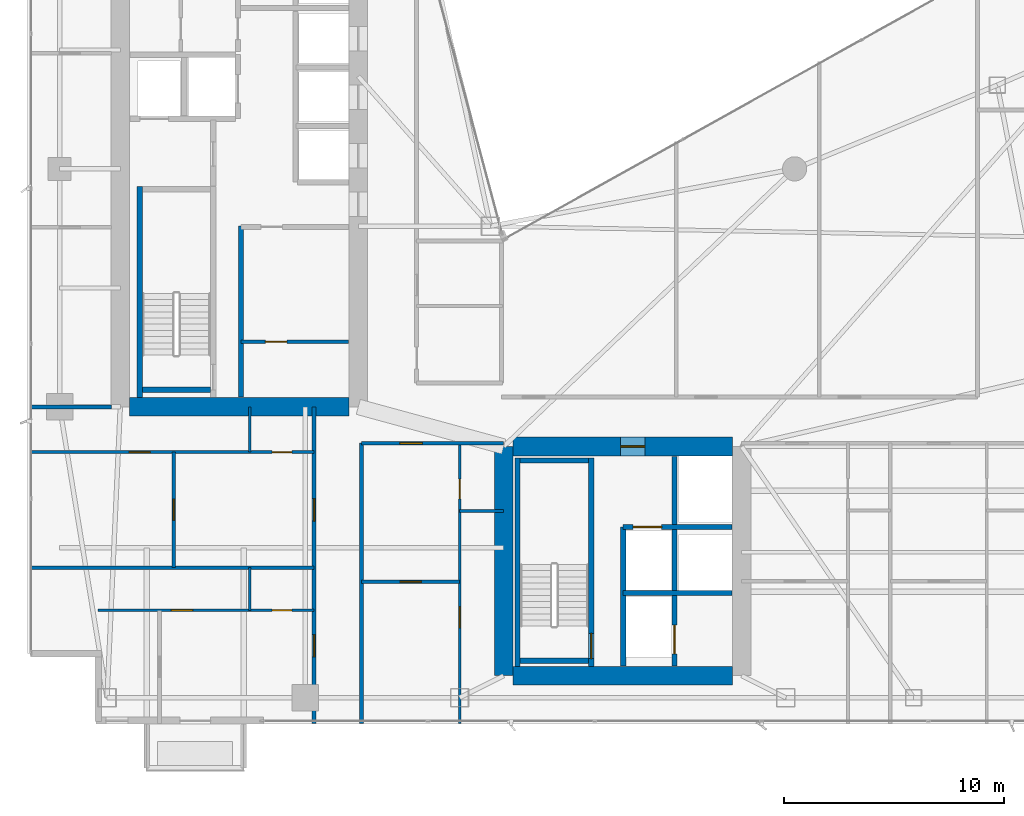
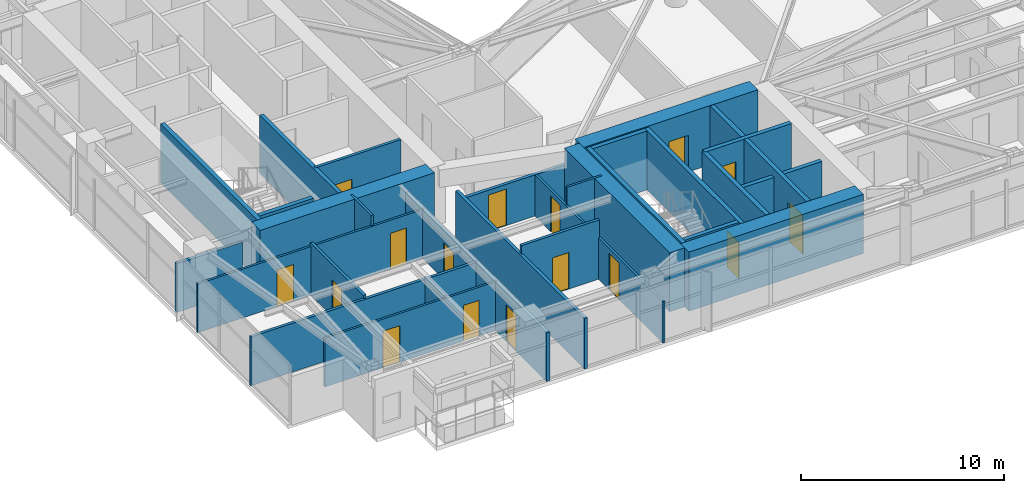
# One storey, part 22 of 29: 29 walls, 16 doors, 16 openings.
"""IFC4 building model written with IfcOpenShell, lengths in metres."""

from ifc_helpers import new_model, si_unit, direction, frame, frame_2d, origin, place, context, subcontext, project, spatial, rectangle, extrude, material, layer, layer_set, type_object, element, fill, save


model = new_model("IFC4")

# Units and contexts
model_context = context("Model", 3, precision=1e-05, world=origin(), true_north=direction((0.0, 1.0)))
body_context = subcontext(model_context, "Body", "Model", "MODEL_VIEW")
ifc_project = project(units=[si_unit("LENGTHUNIT", "METRE"), si_unit("AREAUNIT", "SQUARE_METRE"), si_unit("VOLUMEUNIT", "CUBIC_METRE"), si_unit("PLANEANGLEUNIT", "RADIAN"), si_unit("MASSUNIT", "GRAM", prefix="KILO")], contexts=[model_context])

# Site, building, storey
site_placement = place(None, origin())
site = spatial("IfcSite", under=ifc_project, at=site_placement, CompositionType="ELEMENT")
building_placement = place(site_placement, origin())
building = spatial("IfcBuilding", under=site, at=building_placement, Name="Calvorn Quay Hotel", CompositionType="ELEMENT")
storey_placement = place(building_placement, frame((0.0, 0.0, 163.699951171875)))
storey = spatial("IfcBuildingStorey", under=building, at=storey_placement, Name="L40", CompositionType="ELEMENT", Elevation=163.699951171875)

# Walls
ifc_material_1 = material(Name="Concrete C50", Category="concrete")
ifc_layer_1 = layer(ifc_material_1, 0.85009765625)
ifc_layer_set_1 = layer_set([ifc_layer_1], Name="WL-CORE-850")
wall_type_1 = type_object("IfcWallType", Name="WL-CORE-850", PredefinedType="SHEAR", material=ifc_layer_set_1)
wall_1_placement = place(storey_placement, frame((4.625, 16.800048828125, 0.0), z_axis=(0.0, 0.0, 1.0), x_axis=(1.0, 0.0, 0.0)))
element("IfcWall", 1, at=wall_1_placement, inside=storey, type_object=wall_type_1, Name="West Core Shear Wall S (L40)", PredefinedType="SHEAR", context=body_context, shape_type="SweptSolid", body=[
    extrude(rectangle(XDim=9.949951171875, YDim=0.85009765625, at=frame_2d((4.97509765625, 0.0))), origin(), (0.0, 0.0, 1.0), 3.56005859375),
])
wall_2_placement = place(storey_placement, frame((21.60009765625, 4.60009765625, 0.0), z_axis=(0.0, 0.0, 1.0), x_axis=(0.0, 1.0, 0.0)))
element("IfcWall", 2, at=wall_2_placement, inside=storey, type_object=wall_type_1, Name="East Core Shear Wall W (L40)", PredefinedType="SHEAR", context=body_context, shape_type="SweptSolid", body=[
    extrude(rectangle(XDim=10.39990234375, YDim=0.85009765625, at=frame_2d((5.199951171875, 0.0))), origin(), (0.0, 0.0, 1.0), 3.56005859375),
])

# Wall, opening, door
wall_3_placement = place(storey_placement, frame((22.02490234375, 15.0, 0.0), z_axis=(0.0, 0.0, 1.0), x_axis=(1.0, 0.0, 0.0)))
wall_3 = element("IfcWall", 3, at=wall_3_placement, inside=storey, type_object=wall_type_1, Name="East Core Shear Wall N (L40)", PredefinedType="SHEAR", context=body_context, shape_type="SweptSolid", body=[
    extrude(rectangle(XDim=9.9501953125, YDim=0.85009765625, at=frame_2d((4.97509765625, 0.0))), origin(), (0.0, 0.0, 1.0), 3.56005859375),
])
opening_1_placement = place(wall_3_placement, frame((4.8798828125, 0.0, 0.0)))
opening_1 = element("IfcOpeningElement", 4, at=opening_1_placement, cuts=wall_3, Name="Opening D-L40-FLE", PredefinedType="OPENING", context=body_context, shape_type="SweptSolid", body=[
    extrude(rectangle(XDim=1.10009765625, YDim=2.199951171875, at=frame_2d((0.550048828125, 1.10009765625))), frame((0.0, 0.43505859375, 0.0), z_axis=(0.0, -1.0, 0.0), x_axis=(1.0, 0.0, 0.0)), (0.0, 0.0, 1.0), 0.8701171875),
])
ifc_material_2 = material(Name="Smoke-Sealed Steel Class A Fire Door", Category="steel")
door_type_1 = type_object("IfcDoorType", Name="DR-FFLOBBY-1100", OperationType="NOTDEFINED", PredefinedType="DOOR", material=ifc_material_2)
door_1_placement = place(opening_1_placement, origin())
door_1 = element("IfcDoor", 5, at=door_1_placement, inside=storey, type_object=door_type_1, Name="East Firefighting Lobby Fire Door (L40)", OperationType="SINGLE_SWING_RIGHT", OverallHeight=2.199951171875, OverallWidth=1.10009765625, PredefinedType="DOOR", context=body_context, shape_type="SweptSolid", body=[
    extrude(rectangle(XDim=1.10009765625, YDim=2.199951171875, at=frame_2d((0.550048828125, 1.10009765625))), frame((0.0, 0.02490234375, 0.0), z_axis=(0.0, -1.0, 0.0), x_axis=(1.0, 0.0, 0.0)), (0.0, 0.0, 1.0), 0.050048828125),
])
fill(opening_1, door_1)

# Walls
wall_4_placement = place(storey_placement, frame((22.02490234375, 4.60009765625, 0.0), z_axis=(0.0, 0.0, 1.0), x_axis=(1.0, 0.0, 0.0)))
element("IfcWall", 6, at=wall_4_placement, inside=storey, type_object=wall_type_1, Name="East Core Shear Wall S (L40)", PredefinedType="SHEAR", context=body_context, shape_type="SweptSolid", body=[
    extrude(rectangle(XDim=9.9501953125, YDim=0.85009765625, at=frame_2d((4.97509765625, 0.0))), origin(), (0.0, 0.0, 1.0), 3.56005859375),
])
ifc_material_3 = material(Name="Acoustic Fireboard Steel-Stud Partition", Category="steel")
ifc_layer_2 = layer(ifc_material_3, 0.179931640625)
ifc_layer_set_2 = layer_set([ifc_layer_2], Name="WL-CORR-FIRE-180")
wall_type_2 = type_object("IfcWallType", Name="WL-CORR-FIRE-180", PredefinedType="PARTITIONING", material=ifc_layer_set_2)
wall_5_placement = place(storey_placement, frame((0.080078125, 16.800048828125, 0.0), z_axis=(0.0, 0.0, 1.0), x_axis=(1.0, 0.0, 0.0)))
element("IfcWall", 7, at=wall_5_placement, inside=storey, type_object=wall_type_2, Name="Partition Wall L40-WL-WBAY-S-WALL", PredefinedType="PARTITIONING", context=body_context, shape_type="SweptSolid", body=[
    extrude(rectangle(XDim=3.724853515625, YDim=0.179931640625, at=frame_2d((1.8623046875, 0.0))), origin(), (0.0, 0.0, 1.0), 2.93994140625),
])

# Wall, openings, doors
wall_6_placement = place(storey_placement, frame((13.0, 2.43994140625, 0.0), z_axis=(0.0, 0.0, 1.0), x_axis=(0.0, 1.0, 0.0)))
wall_6 = element("IfcWall", 8, at=wall_6_placement, inside=storey, type_object=wall_type_2, Name="Partition Wall L40-WL-CORR-SW-LEG-W", PredefinedType="PARTITIONING", context=body_context, shape_type="SweptSolid", body=[
    extrude(rectangle(XDim=14.360107421875, YDim=0.179931640625, at=frame_2d((7.18017578125, 0.0))), origin(), (0.0, 0.0, 1.0), 2.93994140625),
])
opening_2_placement = place(wall_6_placement, frame((3.010009765625, 0.0, 0.0)))
opening_2 = element("IfcOpeningElement", 9, at=opening_2_placement, cuts=wall_6, Name="Opening D-L40-U01", PredefinedType="OPENING", context=body_context, shape_type="SweptSolid", body=[
    extrude(rectangle(XDim=1.02001953125, YDim=2.199951171875, at=frame_2d((0.510009765625, 1.10009765625))), frame((0.0, 0.099853515625, 0.0), z_axis=(0.0, -1.0, 0.0), x_axis=(1.0, 0.0, 0.0)), (0.0, 0.0, 1.0), 0.199951171875),
])
opening_3_placement = place(wall_6_placement, frame((9.179931640625, 0.0, 0.0)))
opening_3 = element("IfcOpeningElement", 10, at=opening_3_placement, cuts=wall_6, Name="Opening D-L40-U02", PredefinedType="OPENING", context=body_context, shape_type="SweptSolid", body=[
    extrude(rectangle(XDim=1.02001953125, YDim=2.199951171875, at=frame_2d((0.510009765625, 1.10009765625))), frame((0.0, 0.099853515625, 0.0), z_axis=(0.0, -1.0, 0.0), x_axis=(1.0, 0.0, 0.0)), (0.0, 0.0, 1.0), 0.199951171875),
])
ifc_material_4 = material(Name="Solid-Core Walnut Veneer Hotel Fire Door")
door_type_2 = type_object("IfcDoorType", Name="DR-GUEST-ENTRY-1020", OperationType="NOTDEFINED", PredefinedType="DOOR", material=ifc_material_4)
door_2_placement = place(opening_2_placement, origin())
door_2 = element("IfcDoor", 11, at=door_2_placement, inside=storey, type_object=door_type_2, Name="South-West Unit Door U01 (L40)", OperationType="SINGLE_SWING_LEFT", OverallHeight=2.199951171875, OverallWidth=1.02001953125, PredefinedType="DOOR", context=body_context, shape_type="SweptSolid", body=[
    extrude(rectangle(XDim=1.02001953125, YDim=2.199951171875, at=frame_2d((0.510009765625, 1.10009765625))), frame((0.0, 0.02490234375, 0.0), z_axis=(0.0, -1.0, 0.0), x_axis=(1.0, 0.0, 0.0)), (0.0, 0.0, 1.0), 0.050048828125),
])
fill(opening_2, door_2)
door_3_placement = place(opening_3_placement, origin())
door_3 = element("IfcDoor", 12, at=door_3_placement, inside=storey, type_object=door_type_2, Name="South-West Unit Door U02 (L40)", OperationType="SINGLE_SWING_RIGHT", OverallHeight=2.199951171875, OverallWidth=1.02001953125, PredefinedType="DOOR", context=body_context, shape_type="SweptSolid", body=[
    extrude(rectangle(XDim=1.02001953125, YDim=2.199951171875, at=frame_2d((0.510009765625, 1.10009765625))), frame((0.0, 0.02490234375, 0.0), z_axis=(0.0, -1.0, 0.0), x_axis=(1.0, 0.0, 0.0)), (0.0, 0.0, 1.0), 0.050048828125),
])
fill(opening_3, door_3)

# Wall
wall_7_placement = place(storey_placement, frame((15.14990234375, 2.43994140625, 0.0), z_axis=(0.0, 0.0, 1.0), x_axis=(0.0, 1.0, 0.0)))
element("IfcWall", 13, at=wall_7_placement, inside=storey, type_object=wall_type_2, Name="Partition Wall L40-WL-CORR-SW-W", PredefinedType="PARTITIONING", context=body_context, shape_type="SweptSolid", body=[
    extrude(rectangle(XDim=12.7099609375, YDim=0.179931640625, at=frame_2d((6.35498046875, 0.0))), origin(), (0.0, 0.0, 1.0), 3.0400390625),
])

# Wall, opening, door
wall_8_placement = place(storey_placement, frame((15.14990234375, 15.14990234375, 0.0), z_axis=(0.0, 0.0, 1.0), x_axis=(1.0, 0.0, 0.0)))
wall_8 = element("IfcWall", 14, at=wall_8_placement, inside=storey, type_object=wall_type_2, Name="Partition Wall L40-WL-SC-CORR-S", PredefinedType="PARTITIONING", context=body_context, shape_type="SweptSolid", body=[
    extrude(rectangle(XDim=6.4501953125, YDim=0.179931640625, at=frame_2d((3.22509765625, 0.0))), origin(), (0.0, 0.0, 1.0), 2.489990234375),
])
opening_4_placement = place(wall_8_placement, frame((1.739990234375, 0.0, 0.0)))
opening_4 = element("IfcOpeningElement", 15, at=opening_4_placement, cuts=wall_8, Name="Opening D-L40-U03", PredefinedType="OPENING", context=body_context, shape_type="SweptSolid", body=[
    extrude(rectangle(XDim=1.02001953125, YDim=2.199951171875, at=frame_2d((0.510009765625, 1.10009765625))), frame((0.0, 0.099853515625, 0.0), z_axis=(0.0, -1.0, 0.0), x_axis=(1.0, 0.0, 0.0)), (0.0, 0.0, 1.0), 0.199951171875),
])
door_4_placement = place(opening_4_placement, origin())
door_4 = element("IfcDoor", 16, at=door_4_placement, inside=storey, type_object=door_type_2, Name="Harbour Central Unit Door (L40)", OperationType="SINGLE_SWING_LEFT", OverallHeight=2.199951171875, OverallWidth=1.02001953125, PredefinedType="DOOR", context=body_context, shape_type="SweptSolid", body=[
    extrude(rectangle(XDim=1.02001953125, YDim=2.199951171875, at=frame_2d((0.510009765625, 1.10009765625))), frame((0.0, 0.02490234375, 0.0), z_axis=(0.0, -1.0, 0.0), x_axis=(1.0, 0.0, 0.0)), (0.0, 0.0, 1.0), 0.050048828125),
])
fill(opening_4, door_4)

# Wall
ifc_material_5 = material(Name="Moisture-Resistant Tile-Backed Partition")
ifc_layer_3 = layer(ifc_material_5, 0.125)
ifc_layer_set_3 = layer_set([ifc_layer_3], Name="WL-ENSUITE-125")
wall_type_3 = type_object("IfcWallType", Name="WL-ENSUITE-125", PredefinedType="PARTITIONING", material=ifc_layer_set_3)
wall_9_placement = place(storey_placement, frame((10.080078125, 7.570068359375, 0.0), z_axis=(0.0, 0.0, 1.0), x_axis=(0.0, 1.0, 0.0)))
element("IfcWall", 17, at=wall_9_placement, inside=storey, type_object=wall_type_3, Name="Partition Wall L40-WL-U01-BDV", PredefinedType="PARTITIONING", context=body_context, shape_type="SweptSolid", body=[
    extrude(rectangle(XDim=1.929931640625, YDim=0.125, at=frame_2d((0.96484375, 0.0))), origin(), (0.0, 0.0, 1.0), 3.090087890625),
])

# Wall, openings, doors
wall_10_placement = place(storey_placement, frame((3.199951171875, 7.570068359375, 0.0), z_axis=(0.0, 0.0, 1.0), x_axis=(1.0, 0.0, 0.0)))
wall_10 = element("IfcWall", 18, at=wall_10_placement, inside=storey, type_object=wall_type_3, Name="Partition Wall L40-WL-U01-BH", PredefinedType="PARTITIONING", context=body_context, shape_type="SweptSolid", body=[
    extrude(rectangle(XDim=9.800048828125, YDim=0.125, at=frame_2d((4.89990234375, 0.0))), origin(), (0.0, 0.0, 1.0), 2.93994140625),
])
opening_5_placement = place(wall_10_placement, frame((3.320068359375, 0.0, 0.0)))
opening_5 = element("IfcOpeningElement", 19, at=opening_5_placement, cuts=wall_10, Name="Opening D-L40-S01", PredefinedType="OPENING", context=body_context, shape_type="SweptSolid", body=[
    extrude(rectangle(XDim=0.9599609375, YDim=2.199951171875, at=frame_2d((0.47998046875, 1.10009765625))), frame((0.0, 0.072509765625, 0.0), z_axis=(0.0, -1.0, 0.0), x_axis=(1.0, 0.0, 0.0)), (0.0, 0.0, 1.0), 0.14501953125),
])
opening_6_placement = place(wall_10_placement, frame((7.889892578125, 0.0, 0.0)))
opening_6 = element("IfcOpeningElement", 20, at=opening_6_placement, cuts=wall_10, Name="Opening D-L40-E01", PredefinedType="OPENING", context=body_context, shape_type="SweptSolid", body=[
    extrude(rectangle(XDim=0.89990234375, YDim=2.14990234375, at=frame_2d((0.449951171875, 1.074951171875))), frame((0.0, 0.072509765625, 0.0), z_axis=(0.0, -1.0, 0.0), x_axis=(1.0, 0.0, 0.0)), (0.0, 0.0, 1.0), 0.14501953125),
])
ifc_material_6 = material(Name="Moisture-Sealed Timber En-Suite Door", Category="wood")
door_type_3 = type_object("IfcDoorType", Name="DR-ENSUITE-900", OperationType="NOTDEFINED", PredefinedType="DOOR", material=ifc_material_6)
door_5_placement = place(opening_6_placement, origin())
door_5 = element("IfcDoor", 21, at=door_5_placement, inside=storey, type_object=door_type_3, Name="En-Suite Door 01", OperationType="SINGLE_SWING_RIGHT", OverallHeight=2.14990234375, OverallWidth=0.89990234375, PredefinedType="DOOR", context=body_context, shape_type="SweptSolid", body=[
    extrude(rectangle(XDim=0.89990234375, YDim=2.14990234375, at=frame_2d((0.449951171875, 1.074951171875))), frame((0.0, 0.02490234375, 0.0), z_axis=(0.0, -1.0, 0.0), x_axis=(1.0, 0.0, 0.0)), (0.0, 0.0, 1.0), 0.050048828125),
])
fill(opening_6, door_5)
ifc_material_7 = material(Name="Solid Timber Internal Suite Door", Category="wood")
door_type_4 = type_object("IfcDoorType", Name="DR-SUITE-INT-960", OperationType="NOTDEFINED", PredefinedType="DOOR", material=ifc_material_7)
door_6_placement = place(opening_5_placement, origin())
door_6 = element("IfcDoor", 22, at=door_6_placement, inside=storey, type_object=door_type_4, Name="Botanical Winter Garden Door 01", OperationType="SINGLE_SWING_LEFT", OverallHeight=2.199951171875, OverallWidth=0.9599609375, PredefinedType="DOOR", context=body_context, shape_type="SweptSolid", body=[
    extrude(rectangle(XDim=0.9599609375, YDim=2.199951171875, at=frame_2d((0.47998046875, 1.10009765625))), frame((0.0, 0.02490234375, 0.0), z_axis=(0.0, -1.0, 0.0), x_axis=(1.0, 0.0, 0.0)), (0.0, 0.0, 1.0), 0.050048828125),
])
fill(opening_5, door_6)

# Wall
wall_11_placement = place(storey_placement, frame((10.080078125, 14.75, 0.0), z_axis=(0.0, 0.0, 1.0), x_axis=(0.0, 1.0, 0.0)))
element("IfcWall", 23, at=wall_11_placement, inside=storey, type_object=wall_type_3, Name="Partition Wall L40-WL-U02-BDV", PredefinedType="PARTITIONING", context=body_context, shape_type="SweptSolid", body=[
    extrude(rectangle(XDim=2.050048828125, YDim=0.125, at=frame_2d((1.02490234375, 0.0))), origin(), (0.0, 0.0, 1.0), 3.56005859375),
])

# Wall, openings, doors
wall_12_placement = place(storey_placement, frame((0.080078125, 14.75, 0.0), z_axis=(0.0, 0.0, 1.0), x_axis=(1.0, 0.0, 0.0)))
wall_12 = element("IfcWall", 24, at=wall_12_placement, inside=storey, type_object=wall_type_3, Name="Partition Wall L40-WL-U02-BH", PredefinedType="PARTITIONING", context=body_context, shape_type="SweptSolid", body=[
    extrude(rectangle(XDim=12.919921875, YDim=0.125, at=frame_2d((6.4599609375, 0.0))), origin(), (0.0, 0.0, 1.0), 2.93994140625),
])
opening_7_placement = place(wall_12_placement, frame((4.52001953125, 0.0, 0.0)))
opening_7 = element("IfcOpeningElement", 25, at=opening_7_placement, cuts=wall_12, Name="Opening D-L40-S02", PredefinedType="OPENING", context=body_context, shape_type="SweptSolid", body=[
    extrude(rectangle(XDim=0.9599609375, YDim=2.199951171875, at=frame_2d((0.47998046875, 1.10009765625))), frame((0.0, 0.072509765625, 0.0), z_axis=(0.0, -1.0, 0.0), x_axis=(1.0, 0.0, 0.0)), (0.0, 0.0, 1.0), 0.14501953125),
])
opening_8_placement = place(wall_12_placement, frame((11.010009765625, 0.0, 0.0)))
opening_8 = element("IfcOpeningElement", 26, at=opening_8_placement, cuts=wall_12, Name="Opening D-L40-E02", PredefinedType="OPENING", context=body_context, shape_type="SweptSolid", body=[
    extrude(rectangle(XDim=0.89990234375, YDim=2.14990234375, at=frame_2d((0.449951171875, 1.074951171875))), frame((0.0, 0.072509765625, 0.0), z_axis=(0.0, -1.0, 0.0), x_axis=(1.0, 0.0, 0.0)), (0.0, 0.0, 1.0), 0.14501953125),
])
door_7_placement = place(opening_8_placement, origin())
door_7 = element("IfcDoor", 27, at=door_7_placement, inside=storey, type_object=door_type_3, Name="En-Suite Door 02", OperationType="SINGLE_SWING_RIGHT", OverallHeight=2.14990234375, OverallWidth=0.89990234375, PredefinedType="DOOR", context=body_context, shape_type="SweptSolid", body=[
    extrude(rectangle(XDim=0.89990234375, YDim=2.14990234375, at=frame_2d((0.449951171875, 1.074951171875))), frame((0.0, 0.02490234375, 0.0), z_axis=(0.0, -1.0, 0.0), x_axis=(1.0, 0.0, 0.0)), (0.0, 0.0, 1.0), 0.050048828125),
])
fill(opening_8, door_7)
door_8_placement = place(opening_7_placement, origin())
door_8 = element("IfcDoor", 28, at=door_8_placement, inside=storey, type_object=door_type_4, Name="Botanical Winter Garden Door 02", OperationType="SINGLE_SWING_LEFT", OverallHeight=2.199951171875, OverallWidth=0.9599609375, PredefinedType="DOOR", context=body_context, shape_type="SweptSolid", body=[
    extrude(rectangle(XDim=0.9599609375, YDim=2.199951171875, at=frame_2d((0.47998046875, 1.10009765625))), frame((0.0, 0.02490234375, 0.0), z_axis=(0.0, -1.0, 0.0), x_axis=(1.0, 0.0, 0.0)), (0.0, 0.0, 1.0), 0.050048828125),
])
fill(opening_7, door_8)

# Wall
wall_13_placement = place(storey_placement, frame((19.60009765625, 12.070068359375, 0.0), z_axis=(0.0, 0.0, 1.0), x_axis=(1.0, 0.0, 0.0)))
element("IfcWall", 29, at=wall_13_placement, inside=storey, type_object=wall_type_3, Name="Partition Wall L40-WL-U03-BDV", PredefinedType="PARTITIONING", context=body_context, shape_type="SweptSolid", body=[
    extrude(rectangle(XDim=2.0, YDim=0.125, at=frame_2d((1.0, 0.0))), origin(), (0.0, 0.0, 1.0), 3.56005859375),
])

# Wall, openings, doors
wall_14_placement = place(storey_placement, frame((19.60009765625, 2.43994140625, 0.0), z_axis=(0.0, 0.0, 1.0), x_axis=(0.0, 1.0, 0.0)))
wall_14 = element("IfcWall", 30, at=wall_14_placement, inside=storey, type_object=wall_type_3, Name="Partition Wall L40-WL-U03-BV", PredefinedType="PARTITIONING", context=body_context, shape_type="SweptSolid", body=[
    extrude(rectangle(XDim=12.7099609375, YDim=0.125, at=frame_2d((6.35498046875, 0.0))), origin(), (0.0, 0.0, 1.0), 2.489990234375),
])
opening_9_placement = place(wall_14_placement, frame((4.340087890625, 0.0, 0.0)))
opening_9 = element("IfcOpeningElement", 31, at=opening_9_placement, cuts=wall_14, Name="Opening D-L40-S03", PredefinedType="OPENING", context=body_context, shape_type="SweptSolid", body=[
    extrude(rectangle(XDim=0.9599609375, YDim=2.199951171875, at=frame_2d((0.47998046875, 1.10009765625))), frame((0.0, 0.072509765625, 0.0), z_axis=(0.0, -1.0, 0.0), x_axis=(1.0, 0.0, 0.0)), (0.0, 0.0, 1.0), 0.14501953125),
])
opening_10_placement = place(wall_14_placement, frame((10.179931640625, 0.0, 0.0)))
opening_10 = element("IfcOpeningElement", 32, at=opening_10_placement, cuts=wall_14, Name="Opening D-L40-E03", PredefinedType="OPENING", context=body_context, shape_type="SweptSolid", body=[
    extrude(rectangle(XDim=0.89990234375, YDim=2.14990234375, at=frame_2d((0.449951171875, 1.074951171875))), frame((0.0, 0.072509765625, 0.0), z_axis=(0.0, -1.0, 0.0), x_axis=(1.0, 0.0, 0.0)), (0.0, 0.0, 1.0), 0.14501953125),
])
door_9_placement = place(opening_10_placement, origin())
door_9 = element("IfcDoor", 33, at=door_9_placement, inside=storey, type_object=door_type_3, Name="En-Suite Door 03", OperationType="SINGLE_SWING_RIGHT", OverallHeight=2.14990234375, OverallWidth=0.89990234375, PredefinedType="DOOR", context=body_context, shape_type="SweptSolid", body=[
    extrude(rectangle(XDim=0.89990234375, YDim=2.14990234375, at=frame_2d((0.449951171875, 1.074951171875))), frame((0.0, 0.02490234375, 0.0), z_axis=(0.0, -1.0, 0.0), x_axis=(1.0, 0.0, 0.0)), (0.0, 0.0, 1.0), 0.050048828125),
])
fill(opening_10, door_9)
door_10_placement = place(opening_9_placement, origin())
door_10 = element("IfcDoor", 34, at=door_10_placement, inside=storey, type_object=door_type_4, Name="Botanical Winter Garden Door 03", OperationType="SINGLE_SWING_LEFT", OverallHeight=2.199951171875, OverallWidth=0.9599609375, PredefinedType="DOOR", context=body_context, shape_type="SweptSolid", body=[
    extrude(rectangle(XDim=0.9599609375, YDim=2.199951171875, at=frame_2d((0.47998046875, 1.10009765625))), frame((0.0, 0.02490234375, 0.0), z_axis=(0.0, -1.0, 0.0), x_axis=(1.0, 0.0, 0.0)), (0.0, 0.0, 1.0), 0.050048828125),
])
fill(opening_9, door_10)

# Wall, opening, door
ifc_material_8 = material(Name="Double-Stud Acoustic Gypsum Partition")
ifc_layer_4 = layer(ifc_material_8, 0.159912109375)
ifc_layer_set_4 = layer_set([ifc_layer_4], Name="WL-INTERSUITE-160")
wall_type_4 = type_object("IfcWallType", Name="WL-INTERSUITE-160", PredefinedType="PARTITIONING", material=ifc_layer_set_4)
wall_15_placement = place(storey_placement, frame((9.679931640625, 19.75, 0.0), z_axis=(0.0, 0.0, 1.0), x_axis=(1.0, 0.0, 0.0)))
wall_15 = element("IfcWall", 35, at=wall_15_placement, inside=storey, type_object=wall_type_4, Name="Partition Wall L40-WL-CWW-FR-SPLIT", PredefinedType="PARTITIONING", context=body_context, shape_type="SweptSolid", body=[
    extrude(rectangle(XDim=4.875, YDim=0.159912109375, at=frame_2d((2.4375, 0.0))), origin(), (0.0, 0.0, 1.0), 3.56005859375),
])
opening_11_placement = place(wall_15_placement, frame((1.10009765625, 0.0, 0.0)))
opening_11 = element("IfcOpeningElement", 36, at=opening_11_placement, cuts=wall_15, Name="Opening D-L40-FRL1", PredefinedType="OPENING", context=body_context, shape_type="SweptSolid", body=[
    extrude(rectangle(XDim=0.97998046875, YDim=2.14990234375, at=frame_2d((0.489990234375, 1.074951171875))), frame((0.0, 0.08984375, 0.0), z_axis=(0.0, -1.0, 0.0), x_axis=(1.0, 0.0, 0.0)), (0.0, 0.0, 1.0), 0.179931640625),
])
ifc_material_9 = material(Name="Painted Steel Housekeeping/Riser Fire Door", Category="steel")
door_type_5 = type_object("IfcDoorType", Name="DR-SERVICE-980", OperationType="NOTDEFINED", PredefinedType="DOOR", material=ifc_material_9)
door_11_placement = place(opening_11_placement, origin())
door_11 = element("IfcDoor", 37, at=door_11_placement, inside=storey, type_object=door_type_5, Name="Linen Store Room Door (L40)", OperationType="SINGLE_SWING_LEFT", OverallHeight=2.14990234375, OverallWidth=0.97998046875, PredefinedType="DOOR", context=body_context, shape_type="SweptSolid", body=[
    extrude(rectangle(XDim=0.97998046875, YDim=2.14990234375, at=frame_2d((0.489990234375, 1.074951171875))), frame((0.0, 0.02490234375, 0.0), z_axis=(0.0, -1.0, 0.0), x_axis=(1.0, 0.0, 0.0)), (0.0, 0.0, 1.0), 0.050048828125),
])
fill(opening_11, door_11)

wall_16_placement = place(storey_placement, frame((6.6201171875, 9.5, 0.0), z_axis=(0.0, 0.0, 1.0), x_axis=(0.0, 1.0, 0.0)))
wall_16 = element("IfcWall", 38, at=wall_16_placement, inside=storey, type_object=wall_type_4, Name="Partition Wall L40-WL-U02-MSP", PredefinedType="PARTITIONING", context=body_context, shape_type="SweptSolid", body=[
    extrude(rectangle(XDim=5.25, YDim=0.159912109375, at=frame_2d((2.625, 0.0))), origin(), (0.0, 0.0, 1.0), 3.14013671875),
])
opening_12_placement = place(wall_16_placement, frame((2.14990234375, 0.0, 0.0)))
opening_12 = element("IfcOpeningElement", 39, at=opening_12_placement, cuts=wall_16, Name="Opening D-L40-M02", PredefinedType="OPENING", context=body_context, shape_type="SweptSolid", body=[
    extrude(rectangle(XDim=0.9599609375, YDim=2.199951171875, at=frame_2d((0.47998046875, 1.10009765625))), frame((0.0, 0.08984375, 0.0), z_axis=(0.0, -1.0, 0.0), x_axis=(1.0, 0.0, 0.0)), (0.0, 0.0, 1.0), 0.179931640625),
])
door_12_placement = place(opening_12_placement, origin())
door_12 = element("IfcDoor", 40, at=door_12_placement, inside=storey, type_object=door_type_4, Name="Suite Bedroom Door 02", OperationType="SINGLE_SWING_LEFT", OverallHeight=2.199951171875, OverallWidth=0.9599609375, PredefinedType="DOOR", context=body_context, shape_type="SweptSolid", body=[
    extrude(rectangle(XDim=0.9599609375, YDim=2.199951171875, at=frame_2d((0.47998046875, 1.10009765625))), frame((0.0, 0.02490234375, 0.0), z_axis=(0.0, -1.0, 0.0), x_axis=(1.0, 0.0, 0.0)), (0.0, 0.0, 1.0), 0.050048828125),
])
fill(opening_12, door_12)

# Wall
wall_17_placement = place(storey_placement, frame((0.080078125, 9.5, 0.0), z_axis=(0.0, 0.0, 1.0), x_axis=(1.0, 0.0, 0.0)))
element("IfcWall", 41, at=wall_17_placement, inside=storey, type_object=wall_type_4, Name="Partition Wall L40-WL-SW-DIV-1", PredefinedType="PARTITIONING", context=body_context, shape_type="SweptSolid", body=[
    extrude(rectangle(XDim=12.919921875, YDim=0.159912109375, at=frame_2d((6.4599609375, 0.0))), origin(), (0.0, 0.0, 1.0), 2.93994140625),
])

# Wall, opening, door
wall_18_placement = place(storey_placement, frame((15.14990234375, 8.8701171875, 0.0), z_axis=(0.0, 0.0, 1.0), x_axis=(1.0, 0.0, 0.0)))
wall_18 = element("IfcWall", 42, at=wall_18_placement, inside=storey, type_object=wall_type_4, Name="Partition Wall L40-WL-U03-MSP", PredefinedType="PARTITIONING", context=body_context, shape_type="SweptSolid", body=[
    extrude(rectangle(XDim=4.4501953125, YDim=0.159912109375, at=frame_2d((2.22509765625, 0.0))), origin(), (0.0, 0.0, 1.0), 3.56005859375),
])
opening_13_placement = place(wall_18_placement, frame((1.75, 0.0, 0.0)))
opening_13 = element("IfcOpeningElement", 43, at=opening_13_placement, cuts=wall_18, Name="Opening D-L40-M03", PredefinedType="OPENING", context=body_context, shape_type="SweptSolid", body=[
    extrude(rectangle(XDim=0.9599609375, YDim=2.199951171875, at=frame_2d((0.47998046875, 1.10009765625))), frame((0.0, 0.08984375, 0.0), z_axis=(0.0, -1.0, 0.0), x_axis=(1.0, 0.0, 0.0)), (0.0, 0.0, 1.0), 0.179931640625),
])
door_13_placement = place(opening_13_placement, origin())
door_13 = element("IfcDoor", 44, at=door_13_placement, inside=storey, type_object=door_type_4, Name="Suite Bedroom Door 03", OperationType="SINGLE_SWING_LEFT", OverallHeight=2.199951171875, OverallWidth=0.9599609375, PredefinedType="DOOR", context=body_context, shape_type="SweptSolid", body=[
    extrude(rectangle(XDim=0.9599609375, YDim=2.199951171875, at=frame_2d((0.47998046875, 1.10009765625))), frame((0.0, 0.02490234375, 0.0), z_axis=(0.0, -1.0, 0.0), x_axis=(1.0, 0.0, 0.0)), (0.0, 0.0, 1.0), 0.050048828125),
])
fill(opening_13, door_13)

# Walls
ifc_material_10 = material(Name="Autoclaved Aerated Masonry Block", Category="masonry")
ifc_layer_5 = layer(ifc_material_10, 0.219970703125)
ifc_layer_set_5 = layer_set([ifc_layer_5], Name="WL-LOBBY-FIRE-220")
wall_type_5 = type_object("IfcWallType", Name="WL-LOBBY-FIRE-220", PredefinedType="SOLIDWALL", material=ifc_layer_set_5)
wall_19_placement = place(storey_placement, frame((9.679931640625, 17.2451171875, 0.0), z_axis=(0.0, 0.0, 1.0), x_axis=(0.0, 1.0, 0.0)))
element("IfcWall", 45, at=wall_19_placement, inside=storey, type_object=wall_type_5, Name="Partition Wall L40-WL-CWW-STW-HALL-E", PredefinedType="SOLIDWALL", context=body_context, shape_type="SweptSolid", body=[
    extrude(rectangle(XDim=7.7548828125, YDim=0.219970703125, at=frame_2d((3.87744140625, 0.0))), origin(), (0.0, 0.0, 1.0), 3.56005859375),
])
ifc_material_11 = material(Name="Concrete C40", Category="concrete")
ifc_layer_6 = layer(ifc_material_11, 0.239990234375)
ifc_layer_set_6 = layer_set([ifc_layer_6], Name="WL-SHAFT-240")
wall_type_6 = type_object("IfcWallType", Name="WL-SHAFT-240", PredefinedType="SOLIDWALL", material=ifc_layer_set_6)
wall_20_placement = place(storey_placement, frame((5.080078125, 17.22509765625, 0.0), z_axis=(0.0, 0.0, 1.0), x_axis=(0.0, 1.0, 0.0)))
element("IfcWall", 46, at=wall_20_placement, inside=storey, type_object=wall_type_6, Name="Stair STW Shaft Wall W (L40)", PredefinedType="SOLIDWALL", context=body_context, shape_type="SweptSolid", body=[
    extrude(rectangle(XDim=9.56494140625, YDim=0.239990234375, at=frame_2d((4.782470703125, 0.0))), origin(), (0.0, 0.0, 1.0), 3.56005859375),
])
wall_21_placement = place(storey_placement, frame((5.199951171875, 17.580078125, 0.0), z_axis=(0.0, 0.0, 1.0), x_axis=(1.0, 0.0, 0.0)))
element("IfcWall", 47, at=wall_21_placement, inside=storey, type_object=wall_type_6, Name="Stair STW Shaft Wall S (L40)", PredefinedType="SOLIDWALL", context=body_context, shape_type="SweptSolid", body=[
    extrude(rectangle(XDim=3.10009765625, YDim=0.239990234375, at=frame_2d((1.550048828125, 0.0))), origin(), (0.0, 0.0, 1.0), 3.56005859375),
])
wall_22_placement = place(storey_placement, frame((22.22998046875, 5.02490234375, 0.0), z_axis=(0.0, 0.0, 1.0), x_axis=(0.0, 1.0, 0.0)))
element("IfcWall", 48, at=wall_22_placement, inside=storey, type_object=wall_type_6, Name="Stair STE Shaft Wall W (L40)", PredefinedType="SOLIDWALL", context=body_context, shape_type="SweptSolid", body=[
    extrude(rectangle(XDim=9.465087890625, YDim=0.239990234375, at=frame_2d((4.732421875, 0.0))), origin(), (0.0, 0.0, 1.0), 3.56005859375),
])

# Wall, opening, door
wall_23_placement = place(storey_placement, frame((25.570068359375, 5.02490234375, 0.0), z_axis=(0.0, 0.0, 1.0), x_axis=(0.0, 1.0, 0.0)))
wall_23 = element("IfcWall", 49, at=wall_23_placement, inside=storey, type_object=wall_type_6, Name="Stair STE Shaft Wall E (L40)", PredefinedType="SOLIDWALL", context=body_context, shape_type="SweptSolid", body=[
    extrude(rectangle(XDim=9.465087890625, YDim=0.239990234375, at=frame_2d((4.732421875, 0.0))), origin(), (0.0, 0.0, 1.0), 3.56005859375),
])
opening_14_placement = place(wall_23_placement, frame((0.35009765625, 0.0, 0.0)))
opening_14 = element("IfcOpeningElement", 50, at=opening_14_placement, cuts=wall_23, Name="Opening D-L40-STE", PredefinedType="OPENING", context=body_context, shape_type="SweptSolid", body=[
    extrude(rectangle(XDim=1.14990234375, YDim=2.199951171875, at=frame_2d((0.574951171875, 1.10009765625))), frame((0.0, 0.1298828125, 0.0), z_axis=(0.0, -1.0, 0.0), x_axis=(1.0, 0.0, 0.0)), (0.0, 0.0, 1.0), 0.260009765625),
])
ifc_material_12 = material(Name="Galvanised Steel Class A Fire Door", Category="steel")
door_type_6 = type_object("IfcDoorType", Name="DR-STAIR-SMOKE-1150", OperationType="NOTDEFINED", PredefinedType="DOOR", material=ifc_material_12)
door_14_placement = place(opening_14_placement, origin())
door_14 = element("IfcDoor", 51, at=door_14_placement, inside=storey, type_object=door_type_6, Name="Stair ST-E Fire Door (L40)", OperationType="SINGLE_SWING_RIGHT", OverallHeight=2.199951171875, OverallWidth=1.14990234375, PredefinedType="DOOR", context=body_context, shape_type="SweptSolid", body=[
    extrude(rectangle(XDim=1.14990234375, YDim=2.199951171875, at=frame_2d((0.574951171875, 1.10009765625))), frame((0.0, 0.02490234375, 0.0), z_axis=(0.0, -1.0, 0.0), x_axis=(1.0, 0.0, 0.0)), (0.0, 0.0, 1.0), 0.050048828125),
])
fill(opening_14, door_14)

# Walls
for number, where, z_axis, x_axis, name in (
    (52, (22.35009765625, 5.280029296875, 0.0), (0.0, 0.0, 1.0), (1.0, 0.0, 0.0), "Stair STE Shaft Wall S (L40)"),
    (53, (22.35009765625, 14.3701171875, 0.0), (0.0, 0.0, 1.0), (1.0, 0.0, 0.0), "Stair STE Shaft Wall N (L40)"),
):
    element("IfcWall", number, at=place(storey_placement, frame(where, z_axis=z_axis, x_axis=x_axis)), inside=storey, type_object=wall_type_6, Name=name, PredefinedType="SOLIDWALL", context=body_context, shape_type="SweptSolid", body=[
        extrude(rectangle(XDim=3.099853515625, YDim=0.239990234375, at=frame_2d((1.5498046875, 0.0))), origin(), (0.0, 0.0, 1.0), 3.56005859375),
    ])
wall_24_placement = place(storey_placement, frame((27.02001953125, 5.044921875, 0.0), z_axis=(0.0, 0.0, 1.0), x_axis=(0.0, 1.0, 0.0)))
element("IfcWall", 54, at=wall_24_placement, inside=storey, type_object=wall_type_6, Name="Partition Wall L40-WL-CWE-SH-W", PredefinedType="SOLIDWALL", context=body_context, shape_type="SweptSolid", body=[
    extrude(rectangle(XDim=6.30517578125, YDim=0.239990234375, at=frame_2d((3.152587890625, 0.0))), origin(), (0.0, 0.0, 1.0), 3.56005859375),
])

# Wall, opening, door
wall_25_placement = place(storey_placement, frame((27.02001953125, 11.35009765625, 0.0), z_axis=(0.0, 0.0, 1.0), x_axis=(1.0, 0.0, 0.0)))
wall_25 = element("IfcWall", 55, at=wall_25_placement, inside=storey, type_object=wall_type_6, Name="Partition Wall L40-WL-CWE-FFL-S", PredefinedType="SOLIDWALL", context=body_context, shape_type="SweptSolid", body=[
    extrude(rectangle(XDim=4.93505859375, YDim=0.239990234375, at=frame_2d((2.467529296875, 0.0))), origin(), (0.0, 0.0, 1.0), 3.56005859375),
])
opening_15_placement = place(wall_25_placement, frame((0.449951171875, 0.0, 0.0)))
opening_15 = element("IfcOpeningElement", 56, at=opening_15_placement, cuts=wall_25, Name="Opening LD-L40-FLE1", PredefinedType="OPENING", context=body_context, shape_type="SweptSolid", body=[
    extrude(rectangle(XDim=1.300048828125, YDim=2.35009765625, at=frame_2d((0.64990234375, 1.175048828125))), frame((0.0, 0.1298828125, 0.0), z_axis=(0.0, -1.0, 0.0), x_axis=(1.0, 0.0, 0.0)), (0.0, 0.0, 1.0), 0.260009765625),
])
ifc_material_13 = material(Name="Champagne-Bronze Sliding Express Lift Landing Door")
door_type_7 = type_object("IfcDoorType", Name="DR-LIFT-SHUTTLE-1300", OperationType="NOTDEFINED", PredefinedType="DOOR", material=ifc_material_13)
door_15_placement = place(opening_15_placement, origin())
door_15 = element("IfcDoor", 57, at=door_15_placement, inside=storey, type_object=door_type_7, Name="Firefighting Lift FL-E1 Landing Door (L40)", OperationType="DOUBLE_DOOR_SLIDING", OverallHeight=2.35009765625, OverallWidth=1.300048828125, PredefinedType="DOOR", context=body_context, shape_type="SweptSolid", body=[
    extrude(rectangle(XDim=1.300048828125, YDim=2.35009765625, at=frame_2d((0.64990234375, 1.175048828125))), frame((0.0, 0.02490234375, 0.0), z_axis=(0.0, -1.0, 0.0), x_axis=(1.0, 0.0, 0.0)), (0.0, 0.0, 1.0), 0.050048828125),
])
fill(opening_15, door_15)

# Wall
wall_26_placement = place(storey_placement, frame((27.02001953125, 8.35009765625, 0.0), z_axis=(0.0, 0.0, 1.0), x_axis=(1.0, 0.0, 0.0)))
element("IfcWall", 58, at=wall_26_placement, inside=storey, type_object=wall_type_6, Name="Partition Wall L40-WL-CWE-SL-N", PredefinedType="SOLIDWALL", context=body_context, shape_type="SweptSolid", body=[
    extrude(rectangle(XDim=4.93505859375, YDim=0.239990234375, at=frame_2d((2.467529296875, 0.0))), origin(), (0.0, 0.0, 1.0), 3.090087890625),
])

# Wall, opening, door
wall_27_placement = place(storey_placement, frame((29.35009765625, 5.044921875, 0.0), z_axis=(0.0, 0.0, 1.0), x_axis=(0.0, 1.0, 0.0)))
wall_27 = element("IfcWall", 59, at=wall_27_placement, inside=storey, type_object=wall_type_6, Name="Partition Wall L40-WL-CWE-OB-W", PredefinedType="SOLIDWALL", context=body_context, shape_type="SweptSolid", body=[
    extrude(rectangle(XDim=9.510009765625, YDim=0.239990234375, at=frame_2d((4.7548828125, 0.0))), origin(), (0.0, 0.0, 1.0), 3.56005859375),
])
opening_16_placement = place(wall_27_placement, frame((0.550048828125, 0.0, 0.0)))
opening_16 = element("IfcOpeningElement", 60, at=opening_16_placement, cuts=wall_27, Name="Opening LD-L40-SLEI", PredefinedType="OPENING", context=body_context, shape_type="SweptSolid", body=[
    extrude(rectangle(XDim=1.300048828125, YDim=2.35009765625, at=frame_2d((0.64990234375, 1.175048828125))), frame((0.0, 0.1298828125, 0.0), z_axis=(0.0, -1.0, 0.0), x_axis=(1.0, 0.0, 0.0)), (0.0, 0.0, 1.0), 0.260009765625),
])
door_16_placement = place(opening_16_placement, origin())
door_16 = element("IfcDoor", 61, at=door_16_placement, inside=storey, type_object=door_type_7, Name="Service Lift SL-E1 Landing Door (L40)", OperationType="DOUBLE_DOOR_SLIDING", OverallHeight=2.35009765625, OverallWidth=1.300048828125, PredefinedType="DOOR", context=body_context, shape_type="SweptSolid", body=[
    extrude(rectangle(XDim=1.300048828125, YDim=2.35009765625, at=frame_2d((0.64990234375, 1.175048828125))), frame((0.0, 0.02490234375, 0.0), z_axis=(0.0, -1.0, 0.0), x_axis=(1.0, 0.0, 0.0)), (0.0, 0.0, 1.0), 0.050048828125),
])
fill(opening_16, door_16)

save(model, "model.ifc")
